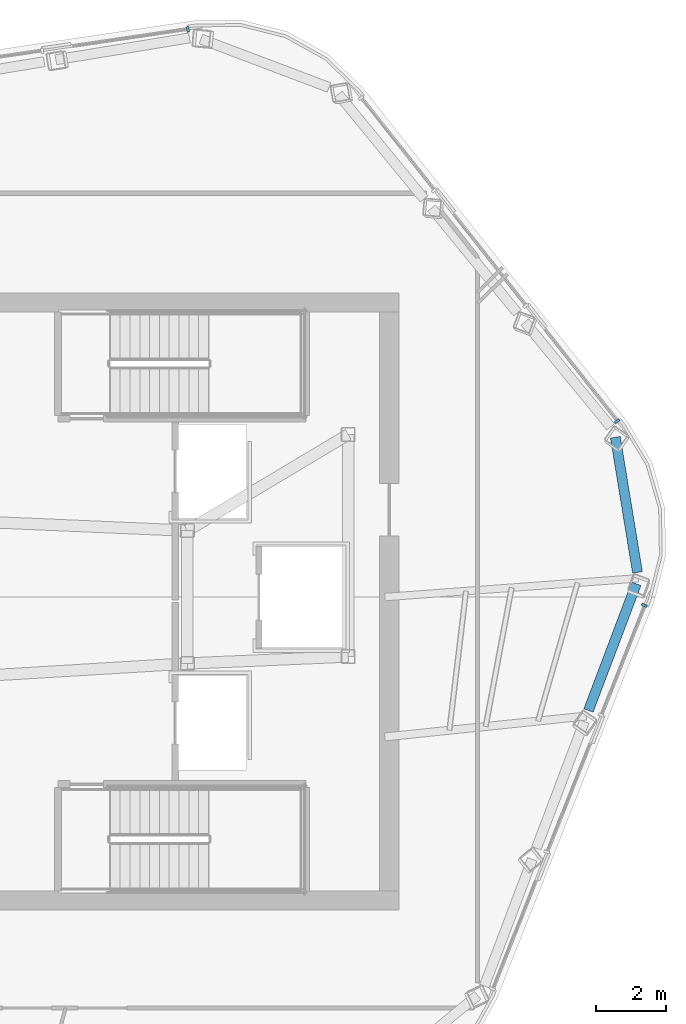
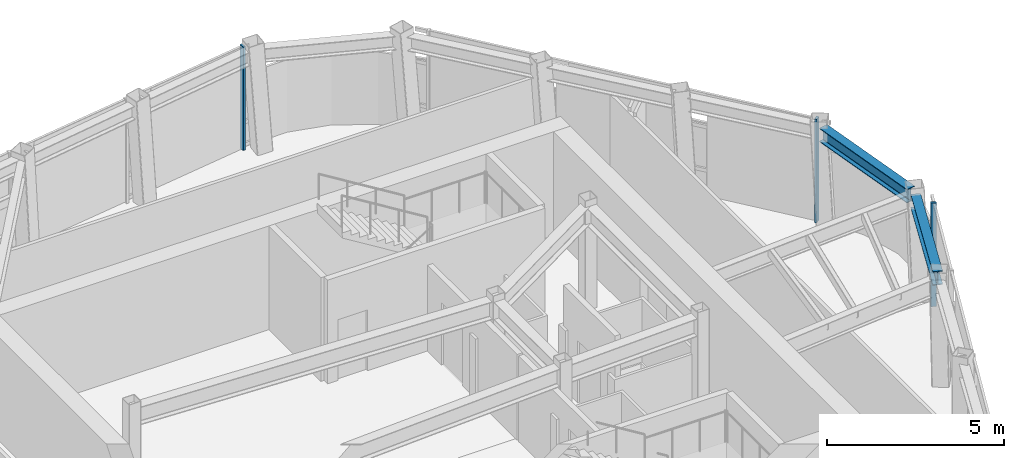
# One storey, part 4 of 9: 3 members, 2 beams, 3 elements without a shape of their own.
"""IFC4 building model written with IfcOpenShell, lengths in metres."""

from ifc_helpers import new_model, si_unit, direction, frame, origin, origin_2d, place, context, subcontext, project, spatial, rectangle, i_section, extrude, material, layer, layer_set, material_profile, profile_set, type_object, element, aggregate, save


model = new_model("IFC4")

# Units and contexts
model_context = context("Model", 3, precision=1e-05, world=origin(), true_north=direction((0.0, 1.0)))
body_context = subcontext(model_context, "Body", "Model", "MODEL_VIEW")
ifc_project = project(units=[si_unit("LENGTHUNIT", "METRE"), si_unit("AREAUNIT", "SQUARE_METRE"), si_unit("VOLUMEUNIT", "CUBIC_METRE"), si_unit("PLANEANGLEUNIT", "RADIAN"), si_unit("MASSUNIT", "GRAM", prefix="KILO")], contexts=[model_context])

# Site, building, storey
site_placement = place(None, origin())
site = spatial("IfcSite", under=ifc_project, at=site_placement, CompositionType="ELEMENT")
building_placement = place(site_placement, origin())
building = spatial("IfcBuilding", under=site, at=building_placement, Name="Valkerne Bourse Tower", CompositionType="ELEMENT")
storey_placement = place(building_placement, frame((0.0, 0.0, 319.199951171875)))
storey = spatial("IfcBuildingStorey", under=building, at=storey_placement, Name="L81", CompositionType="ELEMENT", Elevation=319.199951171875)

# Beams
ifc_material_1 = material(Name="Steel ASTM A992", Category="steel")
ifc_material_profile_1 = material_profile(ifc_material_1, i_section(OverallWidth=0.284423828125, OverallDepth=0.47509765625, WebThickness=0.014892578125, FlangeThickness=0.02392578125, FilletRadius=0.017822265625, at=origin_2d()), Name="W18X106")
ifc_profile_set_1 = profile_set([ifc_material_profile_1], Name="Steel ASTM A992")
beam_type = type_object("IfcBeamType", Name="BM-W18X106", PredefinedType="BEAM", material=ifc_profile_set_1)
beam_1_placement = place(storey_placement, frame((61.822021484375, 23.756591796875, 3.342529296875), z_axis=(0.353450838214, 0.935453101425, 0.0), x_axis=(-0.935453101425, 0.353450838214, 0.0)))
element("IfcBeam", 1, at=beam_1_placement, inside=storey, type_object=beam_type, Name="L81 Hexagonal Spandrel Ring Beam 18", PredefinedType="BEAM", context=body_context, shape_type="SweptSolid", body=[
    extrude(i_section(OverallWidth=0.284423828125, OverallDepth=0.47509765625, WebThickness=0.014892578125, FlangeThickness=0.02392578125, FilletRadius=0.017822265625, at=origin_2d()), origin(), (0.0, 0.0, 1.0), 3.872314453125),
])
beam_2_placement = place(storey_placement, frame((63.223388671875, 27.70556640625, 3.342529296875), z_axis=(-0.161617748474, 0.986853435611, 0.0), x_axis=(-0.986853435611, -0.161617748474, 0.0)))
element("IfcBeam", 2, at=beam_2_placement, inside=storey, type_object=beam_type, Name="L81 Hexagonal Spandrel Ring Beam 19", PredefinedType="BEAM", context=body_context, shape_type="SweptSolid", body=[
    extrude(i_section(OverallWidth=0.284423828125, OverallDepth=0.47509765625, WebThickness=0.014892578125, FlangeThickness=0.02392578125, FilletRadius=0.017822265625, at=origin_2d()), origin(), (0.0, 0.0, 1.0), 3.91552734375),
])

# Curtain wall, member
ifc_material_2 = material(Name="Aluminium AA 6063-T6", Category="aluminium")
ifc_layer = layer(ifc_material_2, 0.25)
ifc_layer_set = layer_set([ifc_layer], Name="Aluminium AA 6063-T6")
curtain_wall_type = type_object("IfcCurtainWallType", Name="CW-06", PredefinedType="NOTDEFINED", material=ifc_layer_set)
curtain_wall_1_placement = place(storey_placement, origin())
curtain_wall_1 = element("IfcCurtainWall", 3, at=curtain_wall_1_placement, inside=storey, type_object=curtain_wall_type, Name="L81 Hexagonal Stick Curtain Wall Face 1", PredefinedType="NOTDEFINED")
ifc_material_profile_2 = material_profile(ifc_material_2, rectangle(XDim=0.074951171875, YDim=0.159912109375, at=origin_2d()), Name="CWM-75X160")
ifc_profile_set_2 = profile_set([ifc_material_profile_2], Name="Aluminium AA 6063-T6")
member_type = type_object("IfcMemberType", Name="CW-MUL-160X75", PredefinedType="MULLION", material=ifc_profile_set_2)
member_1_placement = place(storey_placement, frame((50.36474609375, 43.233642578125, 0.0), z_axis=(0.0, 0.0, 1.0), x_axis=(-0.989268884188, -0.146106381713, 0.0)))
member_1 = element("IfcMember", 4, at=member_1_placement, type_object=member_type, Name="CW-L81-F1 Jamb Mullion 00A", PredefinedType="MULLION", context=body_context, shape_type="SweptSolid", body=[
    extrude(rectangle(XDim=0.074951171875, YDim=0.159912109375, at=origin_2d()), origin(), (0.0, 0.0, 1.0), 3.580078125),
])
aggregate(curtain_wall_1, [member_1])

curtain_wall_2_placement = place(storey_placement, origin())
curtain_wall_2 = element("IfcCurtainWall", 5, at=curtain_wall_2_placement, inside=storey, type_object=curtain_wall_type, Name="L81 Hexagonal Stick Curtain Wall Face 5", PredefinedType="NOTDEFINED")
member_2_placement = place(storey_placement, frame((63.418701171875, 26.763671875, 0.0), z_axis=(0.0, 0.0, 1.0), x_axis=(0.368117724578, 0.929779189298, 0.0)))
member_2 = element("IfcMember", 6, at=member_2_placement, type_object=member_type, Name="CW-L81-F5 Jamb Mullion 02B", PredefinedType="MULLION", context=body_context, shape_type="SweptSolid", body=[
    extrude(rectangle(XDim=0.074951171875, YDim=0.159912109375, at=origin_2d()), origin(), (0.0, 0.0, 1.0), 3.580078125),
])
aggregate(curtain_wall_2, [member_2])

curtain_wall_3_placement = place(storey_placement, origin())
curtain_wall_3 = element("IfcCurtainWall", 7, at=curtain_wall_3_placement, inside=storey, type_object=curtain_wall_type, Name="L81 Hexagonal Stick Curtain Wall Face 6", PredefinedType="NOTDEFINED")
member_3_placement = place(storey_placement, frame((62.64111328125, 32.029541015625, 0.0), z_axis=(0.0, 0.0, 1.0), x_axis=(-0.621153452268, 0.783688961729, 0.0)))
member_3 = element("IfcMember", 8, at=member_3_placement, type_object=member_type, Name="CW-L81-F6 Jamb Mullion 00A", PredefinedType="MULLION", context=body_context, shape_type="SweptSolid", body=[
    extrude(rectangle(XDim=0.074951171875, YDim=0.159912109375, at=origin_2d()), origin(), (0.0, 0.0, 1.0), 3.580078125),
])
aggregate(curtain_wall_3, [member_3])

save(model, "model.ifc")
